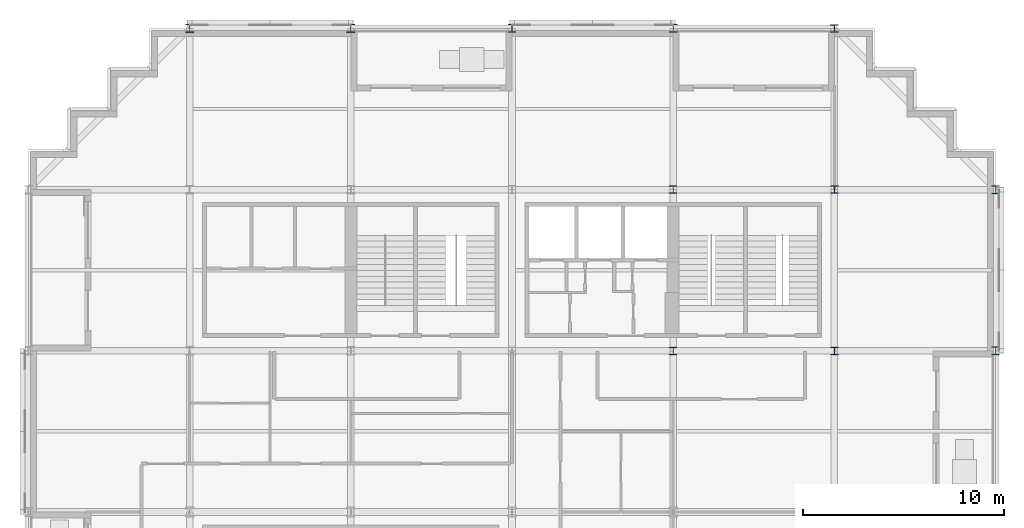
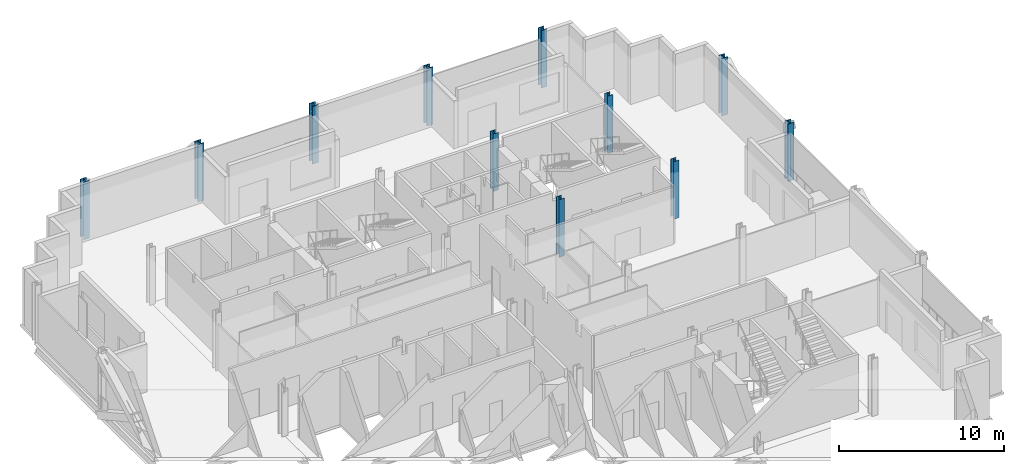
# One storey, part 2 of 14: 11 columns.
"""IFC4 building model written with IfcOpenShell, lengths in metres."""

from ifc_helpers import new_model, si_unit, direction, frame, origin, origin_2d, place, context, subcontext, project, spatial, i_section, extrude, material, material_profile, profile_set, type_object, element, save


model = new_model("IFC4")

# Units and contexts
model_context = context("Model", 3, precision=1e-05, world=origin(), true_north=direction((0.0, 1.0)))
body_context = subcontext(model_context, "Body", "Model", "MODEL_VIEW")
ifc_project = project(units=[si_unit("LENGTHUNIT", "METRE"), si_unit("AREAUNIT", "SQUARE_METRE"), si_unit("VOLUMEUNIT", "CUBIC_METRE"), si_unit("PLANEANGLEUNIT", "RADIAN"), si_unit("MASSUNIT", "GRAM", prefix="KILO")], contexts=[model_context])

# Site, building, storey
site_placement = place(None, origin())
site = spatial("IfcSite", under=ifc_project, at=site_placement, CompositionType="ELEMENT")
building_placement = place(site_placement, origin())
building = spatial("IfcBuilding", under=site, at=building_placement, Name="Immortelle Media Tower", CompositionType="ELEMENT")
storey_placement = place(building_placement, frame((0.0, 0.0, 39.199951171875)))
storey = spatial("IfcBuildingStorey", under=building, at=storey_placement, Name="L05", CompositionType="ELEMENT", Elevation=39.199951171875)

# Columns
ifc_material = material(Name="Steel ASTM A992 Gr 50", Category="steel")
ifc_material_profile_1 = material_profile(ifc_material, i_section(OverallWidth=0.373046875, OverallDepth=0.367919921875, WebThickness=0.014892578125, FlangeThickness=0.02392578125, at=origin_2d()), Name="W14x120")
ifc_profile_set_1 = profile_set([ifc_material_profile_1], Name="Steel ASTM A992 Gr 50")
column_type_1 = type_object("IfcColumnType", Name="W14x120 column", PredefinedType="COLUMN", material=ifc_profile_set_1)
for number, where, z_axis, x_axis, name in (
    (1, (32.0, 32.0, 0.0), (0.0, 0.0, 1.0), (1.0, 0.0, 0.0), "Column 5/E"),
    (2, (32.0, 40.0, 0.0), (0.0, 0.0, 1.0), (1.0, 0.0, 0.0), "Column 5/F"),
    (3, (40.0, 32.0, 0.0), (0.0, 0.0, 1.0), (1.0, 0.0, 0.0), "Column 6/E"),
    (4, (40.0, 40.0, 0.0), (0.0, 0.0, 1.0), (1.0, 0.0, 0.0), "Column 6/F"),
):
    element("IfcColumn", number, at=place(storey_placement, frame(where, z_axis=z_axis, x_axis=x_axis)), inside=storey, type_object=column_type_1, Name=name, PredefinedType="COLUMN", context=body_context, shape_type="SweptSolid", body=[
        extrude(i_section(OverallWidth=0.373046875, OverallDepth=0.367919921875, WebThickness=0.014892578125, FlangeThickness=0.02392578125, at=origin_2d()), origin(), (0.0, 0.0, 1.0), 4.25),
    ])
ifc_material_profile_2 = material_profile(ifc_material, i_section(OverallWidth=0.39892578125, OverallDepth=0.385986328125, WebThickness=0.02099609375, FlangeThickness=0.032958984375, at=origin_2d()), Name="W14x176")
ifc_profile_set_2 = profile_set([ifc_material_profile_2], Name="Steel ASTM A992 Gr 50")
column_type_2 = type_object("IfcColumnType", Name="W14x176 column", PredefinedType="COLUMN", material=ifc_profile_set_2)
column_placement = place(storey_placement, frame((40.0, 48.0, 0.0), z_axis=(0.0, 0.0, 1.0), x_axis=(1.0, 0.0, 0.0)))
element("IfcColumn", 5, at=column_placement, inside=storey, type_object=column_type_2, Name="Column 6/G", PredefinedType="COLUMN", context=body_context, shape_type="SweptSolid", body=[
    extrude(i_section(OverallWidth=0.39892578125, OverallDepth=0.385986328125, WebThickness=0.02099609375, FlangeThickness=0.032958984375, at=origin_2d()), origin(), (0.0, 0.0, 1.0), 4.25),
])
ifc_material_profile_3 = material_profile(ifc_material, i_section(OverallWidth=0.406005859375, OverallDepth=0.4169921875, WebThickness=0.030029296875, FlangeThickness=0.048095703125, at=origin_2d()), Name="W14x257")
ifc_profile_set_3 = profile_set([ifc_material_profile_3], Name="Steel ASTM A992 Gr 50")
column_type_3 = type_object("IfcColumnType", Name="W14x257 column", PredefinedType="COLUMN", material=ifc_profile_set_3)
for number, where, z_axis, x_axis, name in (
    (6, (24.0, 48.0, 0.0), (0.0, 0.0, 1.0), (1.0, 0.0, 0.0), "Column 4/G"),
    (7, (32.0, 48.0, 0.0), (0.0, 0.0, 1.0), (1.0, 0.0, 0.0), "Column 5/G"),
    (8, (48.0, 32.0, 0.0), (0.0, 0.0, 1.0), (1.0, 0.0, 0.0), "Column 7/E"),
    (9, (48.0, 40.0, 0.0), (0.0, 0.0, 1.0), (1.0, 0.0, 0.0), "Column 7/F"),
):
    element("IfcColumn", number, at=place(storey_placement, frame(where, z_axis=z_axis, x_axis=x_axis)), inside=storey, type_object=column_type_3, Name=name, PredefinedType="COLUMN", context=body_context, shape_type="SweptSolid", body=[
        extrude(i_section(OverallWidth=0.406005859375, OverallDepth=0.4169921875, WebThickness=0.030029296875, FlangeThickness=0.048095703125, at=origin_2d()), origin(), (0.0, 0.0, 1.0), 4.25),
    ])
ifc_material_profile_4 = material_profile(ifc_material, i_section(OverallWidth=0.410888671875, OverallDepth=0.43408203125, WebThickness=0.035888671875, FlangeThickness=0.056884765625, at=origin_2d()), Name="W14x311")
ifc_profile_set_4 = profile_set([ifc_material_profile_4], Name="Steel ASTM A992 Gr 50")
column_type_4 = type_object("IfcColumnType", Name="W14x311 column", PredefinedType="COLUMN", material=ifc_profile_set_4)
for number, where, z_axis, x_axis, name in (
    (10, (8.0, 48.0, 0.0), (0.0, 0.0, 1.0), (1.0, 0.0, 0.0), "Column 2/G"),
    (11, (16.0, 48.0, 0.0), (0.0, 0.0, 1.0), (1.0, 0.0, 0.0), "Column 3/G"),
):
    element("IfcColumn", number, at=place(storey_placement, frame(where, z_axis=z_axis, x_axis=x_axis)), inside=storey, type_object=column_type_4, Name=name, PredefinedType="COLUMN", context=body_context, shape_type="SweptSolid", body=[
        extrude(i_section(OverallWidth=0.410888671875, OverallDepth=0.43408203125, WebThickness=0.035888671875, FlangeThickness=0.056884765625, at=origin_2d()), origin(), (0.0, 0.0, 1.0), 4.25),
    ])

save(model, "model.ifc")
